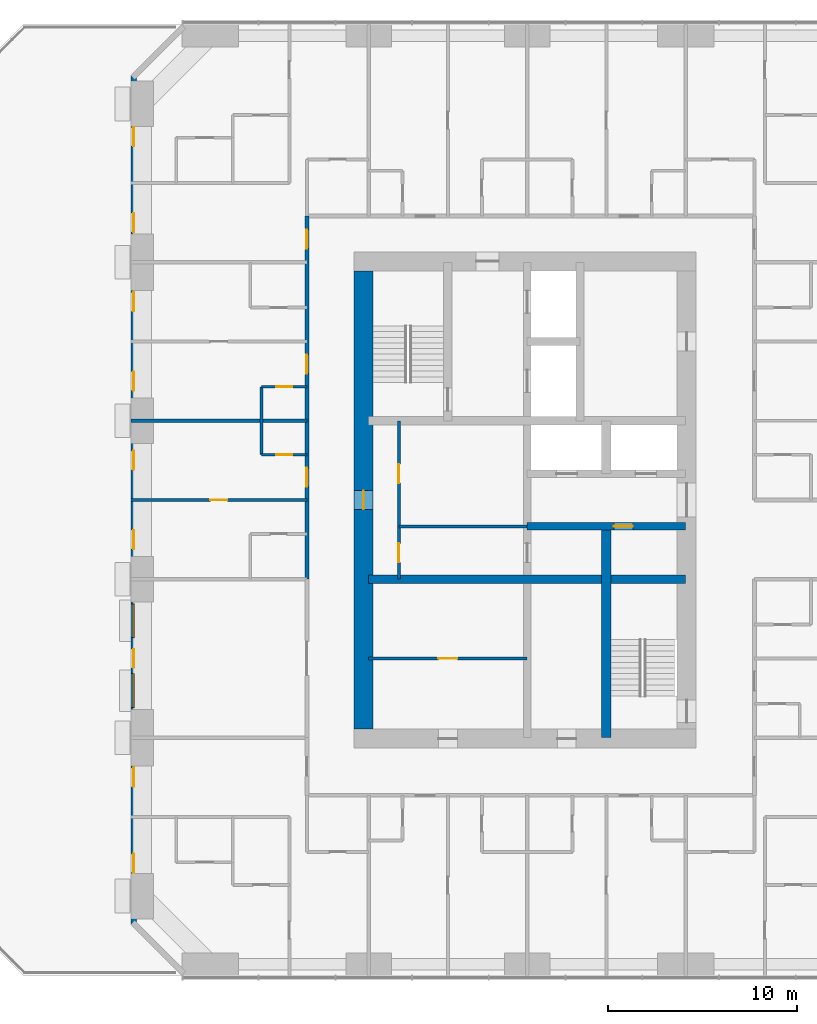
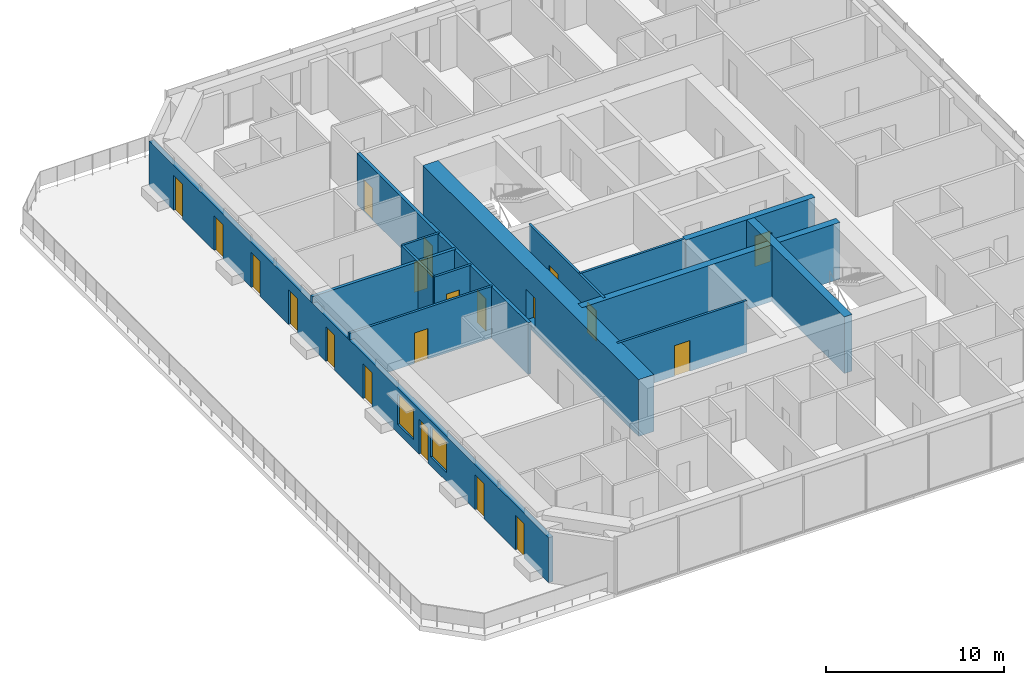
# One storey, part 8 of 13: 20 doors, 14 walls, 2 windows, 22 openings.
"""IFC4 building model written with IfcOpenShell, lengths in metres."""

from ifc_helpers import new_model, si_unit, direction, frame, frame_2d, origin, place, context, subcontext, project, spatial, rectangle, extrude, material, layer, layer_set, type_object, element, fill, save


model = new_model("IFC4")

# Units and contexts
model_context = context("Model", 3, precision=1e-05, world=origin(), true_north=direction((0.0, 1.0)))
body_context = subcontext(model_context, "Body", "Model", "MODEL_VIEW")
ifc_project = project(units=[si_unit("LENGTHUNIT", "METRE"), si_unit("AREAUNIT", "SQUARE_METRE"), si_unit("VOLUMEUNIT", "CUBIC_METRE"), si_unit("PLANEANGLEUNIT", "RADIAN"), si_unit("MASSUNIT", "GRAM", prefix="KILO")], contexts=[model_context])

# Site, building, storey
site_placement = place(None, origin())
site = spatial("IfcSite", under=ifc_project, at=site_placement, CompositionType="ELEMENT")
building_placement = place(site_placement, origin())
building = spatial("IfcBuilding", under=site, at=building_placement, Name="Dunama Terrace Hotel", CompositionType="ELEMENT")
storey_placement = place(building_placement, frame((0.0, 0.0, 225.60009765625)))
storey = spatial("IfcBuildingStorey", under=building, at=storey_placement, Name="L58", CompositionType="ELEMENT", Elevation=225.60009765625)

# Wall
ifc_material_1 = material(Name="Gypsum board partition", Category="masonry")
ifc_layer_1 = layer(ifc_material_1, 0.14990234375)
ifc_layer_set_1 = layer_set([ifc_layer_1], Name="Bathroom partition 150")
wall_type_1 = type_object("IfcWallType", Name="Bathroom partition 150", PredefinedType="PARTITIONING", material=ifc_layer_set_1)
wall_1_placement = place(storey_placement, frame((19.52490234375, 31.800048828125, 0.0), z_axis=(0.0, 0.0, 1.0), x_axis=(0.0, 1.0, 0.0)))
element("IfcWall", 1, at=wall_1_placement, inside=storey, type_object=wall_type_1, Name="Bathroom partition 150 L58", PredefinedType="PARTITIONING", context=body_context, shape_type="SweptSolid", body=[
    extrude(rectangle(XDim=3.599853515625, YDim=0.14990234375, at=frame_2d((1.7998046875, 0.0))), origin(), (0.0, 0.0, 1.0), 3.5498046875),
])

# Wall, opening, door
wall_2_placement = place(storey_placement, frame((19.52490234375, 31.800048828125, 0.0), z_axis=(0.0, 0.0, 1.0), x_axis=(1.0, 0.0, 0.0)))
wall_2 = element("IfcWall", 2, at=wall_2_placement, inside=storey, type_object=wall_type_1, Name="Bathroom partition 150 L58", PredefinedType="PARTITIONING", context=body_context, shape_type="SweptSolid", body=[
    extrude(rectangle(XDim=2.400146484375, YDim=0.14990234375, at=frame_2d((1.2001953125, 0.0))), origin(), (0.0, 0.0, 1.0), 3.5498046875),
])
opening_1_placement = place(wall_2_placement, frame((0.77490234375, 0.0, 0.0)))
opening_1 = element("IfcOpeningElement", 3, at=opening_1_placement, cuts=wall_2, Name="Opening L58-043", PredefinedType="OPENING", context=body_context, shape_type="SweptSolid", body=[
    extrude(rectangle(XDim=0.85009765625, YDim=2.10009765625, at=frame_2d((0.425048828125, 1.050048828125))), frame((0.0, 0.0849609375, 0.0), z_axis=(0.0, -1.0, 0.0), x_axis=(1.0, 0.0, 0.0)), (0.0, 0.0, 1.0), 0.169921875),
])
ifc_material_2 = material(Name="Timber door with steel frame", Category="steel")
door_type_1 = type_object("IfcDoorType", Name="Bathroom door 850", OperationType="SINGLE_SWING_LEFT", PredefinedType="DOOR", material=ifc_material_2)
door_1_placement = place(opening_1_placement, origin())
door_1 = element("IfcDoor", 4, at=door_1_placement, inside=storey, type_object=door_type_1, Name="Door to powder room L58-043, type D2", OperationType="SINGLE_SWING_RIGHT", OverallHeight=2.10009765625, OverallWidth=0.85009765625, PredefinedType="DOOR", context=body_context, shape_type="SweptSolid", body=[
    extrude(rectangle(XDim=0.85009765625, YDim=2.10009765625, at=frame_2d((0.425048828125, 1.050048828125))), frame((0.0, 0.02490234375, 0.0), z_axis=(0.0, -1.0, 0.0), x_axis=(1.0, 0.0, 0.0)), (0.0, 0.0, 1.0), 0.050048828125),
])
fill(opening_1, door_1)

wall_3_placement = place(storey_placement, frame((19.52490234375, 35.39990234375, 0.0), z_axis=(0.0, 0.0, 1.0), x_axis=(1.0, 0.0, 0.0)))
wall_3 = element("IfcWall", 5, at=wall_3_placement, inside=storey, type_object=wall_type_1, Name="Bathroom partition 150 L58", PredefinedType="PARTITIONING", context=body_context, shape_type="SweptSolid", body=[
    extrude(rectangle(XDim=2.400146484375, YDim=0.14990234375, at=frame_2d((1.2001953125, 0.0))), origin(), (0.0, 0.0, 1.0), 3.5498046875),
])
opening_2_placement = place(wall_3_placement, frame((0.77490234375, 0.0, 0.0)))
opening_2 = element("IfcOpeningElement", 6, at=opening_2_placement, cuts=wall_3, Name="Opening L58-047", PredefinedType="OPENING", context=body_context, shape_type="SweptSolid", body=[
    extrude(rectangle(XDim=0.85009765625, YDim=2.10009765625, at=frame_2d((0.425048828125, 1.050048828125))), frame((0.0, 0.0849609375, 0.0), z_axis=(0.0, -1.0, 0.0), x_axis=(1.0, 0.0, 0.0)), (0.0, 0.0, 1.0), 0.169921875),
])
door_2_placement = place(opening_2_placement, frame((0.85009765625, 0.0, 0.0), z_axis=(0.0, 0.0, 1.0), x_axis=(-1.0, 0.0, 0.0)))
door_2 = element("IfcDoor", 7, at=door_2_placement, inside=storey, type_object=door_type_1, Name="Door to powder room L58-047, type D2", OperationType="SINGLE_SWING_LEFT", OverallHeight=2.10009765625, OverallWidth=0.85009765625, PredefinedType="DOOR", context=body_context, shape_type="SweptSolid", body=[
    extrude(rectangle(XDim=0.85009765625, YDim=2.10009765625, at=frame_2d((0.425048828125, 1.050048828125))), frame((0.0, 0.025146484375, 0.0), z_axis=(0.0, -1.0, 0.0), x_axis=(1.0, 0.0, 0.0)), (0.0, 0.0, 1.0), 0.050048828125),
])
fill(opening_2, door_2)

ifc_material_3 = material(Name="Concrete C50/60", Category="concrete")
ifc_layer_2 = layer(ifc_material_3, 0.39990234375)
ifc_layer_set_2 = layer_set([ifc_layer_2], Name="Core inner wall 400")
wall_type_2 = type_object("IfcWallType", Name="Core inner wall 400", PredefinedType="SHEAR", material=ifc_layer_set_2)
wall_4_placement = place(storey_placement, frame((33.60009765625, 28.0, -0.35009765625), z_axis=(0.0, 0.0, 1.0), x_axis=(1.0, 0.0, 0.0)))
wall_4 = element("IfcWall", 8, at=wall_4_placement, inside=storey, type_object=wall_type_2, Name="Core inner wall 400 L58", PredefinedType="SHEAR", context=body_context, shape_type="SweptSolid", body=[
    extrude(rectangle(XDim=8.39990234375, YDim=0.39990234375, at=frame_2d((4.199951171875, 0.0))), origin(), (0.0, 0.0, 1.0), 3.89990234375),
])
opening_3_placement = place(wall_4_placement, frame((4.60009765625, 0.0, 0.35009765625)))
opening_3 = element("IfcOpeningElement", 9, at=opening_3_placement, cuts=wall_4, Name="Opening L58-074", PredefinedType="OPENING", context=body_context, shape_type="SweptSolid", body=[
    extrude(rectangle(XDim=1.0, YDim=2.10009765625, at=frame_2d((0.5, 1.050048828125))), frame((0.0, 0.2099609375, 0.0), z_axis=(0.0, -1.0, 0.0), x_axis=(1.0, 0.0, 0.0)), (0.0, 0.0, 1.0), 0.419921875),
])
ifc_material_4 = material(Name="Timber door with steel frame", Category="steel")
door_type_2 = type_object("IfcDoorType", Name="Service door 1000", OperationType="SINGLE_SWING_LEFT", PredefinedType="DOOR", material=ifc_material_4)
door_3_placement = place(opening_3_placement, frame((1.0, 0.0, 0.0), z_axis=(0.0, 0.0, 1.0), x_axis=(-1.0, 0.0, 0.0)))
door_3 = element("IfcDoor", 10, at=door_3_placement, inside=storey, type_object=door_type_2, Name="Door to guest pantry L58-074, type D7", OperationType="SINGLE_SWING_RIGHT", OverallHeight=2.10009765625, OverallWidth=1.0, PredefinedType="DOOR", context=body_context, shape_type="SweptSolid", body=[
    extrude(rectangle(XDim=1.0, YDim=2.10009765625, at=frame_2d((0.5, 1.050048828125))), frame((0.0, 0.025146484375, 0.0), z_axis=(0.0, -1.0, 0.0), x_axis=(1.0, 0.0, 0.0)), (0.0, 0.0, 1.0), 0.050048828125),
])
fill(opening_3, door_3)

# Walls
ifc_material_5 = material(Name="Concrete C50/60", Category="concrete")
ifc_layer_3 = layer(ifc_material_5, 0.449951171875)
ifc_layer_set_3 = layer_set([ifc_layer_3], Name="Core inner wall 450")
wall_type_3 = type_object("IfcWallType", Name="Core inner wall 450", PredefinedType="SHEAR", material=ifc_layer_set_3)
wall_5_placement = place(storey_placement, frame((25.199951171875, 25.199951171875, -0.35009765625), z_axis=(0.0, 0.0, 1.0), x_axis=(1.0, 0.0, 0.0)))
element("IfcWall", 11, at=wall_5_placement, inside=storey, type_object=wall_type_3, Name="Core inner wall 450 L58", PredefinedType="SHEAR", context=body_context, shape_type="SweptSolid", body=[
    extrude(rectangle(XDim=16.800048828125, YDim=0.449951171875, at=frame_2d((8.39990234375, 0.0))), origin(), (0.0, 0.0, 1.0), 3.89990234375),
])
ifc_material_6 = material(Name="Concrete C50/60", Category="concrete")
ifc_layer_4 = layer(ifc_material_6, 0.5)
ifc_layer_set_4 = layer_set([ifc_layer_4], Name="Core inner wall 500")
wall_type_4 = type_object("IfcWallType", Name="Core inner wall 500", PredefinedType="SHEAR", material=ifc_layer_set_4)
wall_6_placement = place(storey_placement, frame((37.800048828125, 16.800048828125, -0.35009765625), z_axis=(0.0, 0.0, 1.0), x_axis=(0.0, 1.0, 0.0)))
element("IfcWall", 12, at=wall_6_placement, inside=storey, type_object=wall_type_4, Name="Core inner wall 500 L58", PredefinedType="SHEAR", context=body_context, shape_type="SweptSolid", body=[
    extrude(rectangle(XDim=11.199951171875, YDim=0.5, at=frame_2d((5.60009765625, 0.0))), origin(), (0.0, 0.0, 1.0), 3.89990234375),
])

# Wall, opening, door
ifc_material_7 = material(Name="Concrete C60/75", Category="concrete")
ifc_layer_5 = layer(ifc_material_7, 1.0)
ifc_layer_set_5 = layer_set([ifc_layer_5], Name="Core wall 1000")
wall_type_5 = type_object("IfcWallType", Name="Core wall 1000", PredefinedType="SHEAR", material=ifc_layer_set_5)
wall_7_placement = place(storey_placement, frame((24.925048828125, 41.550048828125, -0.35009765625), z_axis=(0.0, 0.0, 1.0), x_axis=(0.0, -1.0, 0.0)))
wall_7 = element("IfcWall", 13, at=wall_7_placement, inside=storey, type_object=wall_type_5, Name="Core wall west L58", PredefinedType="SHEAR", context=body_context, shape_type="SweptSolid", body=[
    extrude(rectangle(XDim=24.300048828125, YDim=1.0, at=frame_2d((12.14990234375, 0.0))), origin(), (0.0, 0.0, 1.0), 3.89990234375),
])
opening_4_placement = place(wall_7_placement, frame((11.64990234375, 0.0, 0.35009765625)))
opening_4 = element("IfcOpeningElement", 14, at=opening_4_placement, cuts=wall_7, Name="Opening L58-070", PredefinedType="OPENING", context=body_context, shape_type="SweptSolid", body=[
    extrude(rectangle(XDim=1.0, YDim=2.10009765625, at=frame_2d((0.5, 1.050048828125))), frame((0.0, 0.510009765625, 0.0), z_axis=(0.0, -1.0, 0.0), x_axis=(1.0, 0.0, 0.0)), (0.0, 0.0, 1.0), 1.02001953125),
])
door_4_placement = place(opening_4_placement, origin())
door_4 = element("IfcDoor", 15, at=door_4_placement, inside=storey, type_object=door_type_2, Name="Door to staff passage L58-070, type D7", OperationType="SINGLE_SWING_LEFT", OverallHeight=2.10009765625, OverallWidth=1.0, PredefinedType="DOOR", context=body_context, shape_type="SweptSolid", body=[
    extrude(rectangle(XDim=1.0, YDim=2.10009765625, at=frame_2d((0.5, 1.050048828125))), frame((0.0, 0.02490234375, 0.0), z_axis=(0.0, -1.0, 0.0), x_axis=(1.0, 0.0, 0.0)), (0.0, 0.0, 1.0), 0.050048828125),
])
fill(opening_4, door_4)

# Wall, openings, doors
ifc_material_8 = material(Name="Concrete blockwork", Category="masonry")
ifc_layer_6 = layer(ifc_material_8, 0.199951171875)
ifc_layer_set_6 = layer_set([ifc_layer_6], Name="Corridor partition 200")
wall_type_6 = type_object("IfcWallType", Name="Corridor partition 200", PredefinedType="PARTITIONING", material=ifc_layer_set_6)
wall_8_placement = place(storey_placement, frame((21.925048828125, 25.199951171875, 0.0), z_axis=(0.0, 0.0, 1.0), x_axis=(0.0, 1.0, 0.0)))
wall_8 = element("IfcWall", 16, at=wall_8_placement, inside=storey, type_object=wall_type_6, Name="Corridor partition 200 L58", PredefinedType="PARTITIONING", context=body_context, shape_type="SweptSolid", body=[
    extrude(rectangle(XDim=19.25, YDim=0.199951171875, at=frame_2d((9.625, 0.0))), origin(), (0.0, 0.0, 1.0), 3.5498046875),
])
opening_5_placement = place(wall_8_placement, frame((4.89990234375, 0.0, 0.0)))
opening_5 = element("IfcOpeningElement", 17, at=opening_5_placement, cuts=wall_8, Name="Opening L58-042", PredefinedType="OPENING", context=body_context, shape_type="SweptSolid", body=[
    extrude(rectangle(XDim=1.0, YDim=2.199951171875, at=frame_2d((0.5, 1.10009765625))), frame((0.0, 0.10986328125, 0.0), z_axis=(0.0, -1.0, 0.0), x_axis=(1.0, 0.0, 0.0)), (0.0, 0.0, 1.0), 0.219970703125),
])
opening_6_placement = place(wall_8_placement, frame((10.89990234375, 0.0, 0.0)))
opening_6 = element("IfcOpeningElement", 18, at=opening_6_placement, cuts=wall_8, Name="Opening L58-046", PredefinedType="OPENING", context=body_context, shape_type="SweptSolid", body=[
    extrude(rectangle(XDim=1.0, YDim=2.199951171875, at=frame_2d((0.5, 1.10009765625))), frame((0.0, 0.10986328125, 0.0), z_axis=(0.0, -1.0, 0.0), x_axis=(1.0, 0.0, 0.0)), (0.0, 0.0, 1.0), 0.219970703125),
])
opening_7_placement = place(wall_8_placement, frame((17.52490234375, 0.0, 0.0)))
opening_7 = element("IfcOpeningElement", 19, at=opening_7_placement, cuts=wall_8, Name="Opening L58-065", PredefinedType="OPENING", context=body_context, shape_type="SweptSolid", body=[
    extrude(rectangle(XDim=1.0, YDim=2.199951171875, at=frame_2d((0.5, 1.10009765625))), frame((0.0, 0.10986328125, 0.0), z_axis=(0.0, -1.0, 0.0), x_axis=(1.0, 0.0, 0.0)), (0.0, 0.0, 1.0), 0.219970703125),
])
ifc_material_9 = material(Name="Timber door with steel frame", Category="steel")
door_type_3 = type_object("IfcDoorType", Name="Guest room door 1000", OperationType="SINGLE_SWING_LEFT", PredefinedType="DOOR", material=ifc_material_9)
door_5_placement = place(opening_5_placement, origin())
door_5 = element("IfcDoor", 20, at=door_5_placement, inside=storey, type_object=door_type_3, Name="Door to one-bedroom suite living room L58-042, type D1", OperationType="SINGLE_SWING_RIGHT", OverallHeight=2.199951171875, OverallWidth=1.0, PredefinedType="DOOR", context=body_context, shape_type="SweptSolid", body=[
    extrude(rectangle(XDim=1.0, YDim=2.199951171875, at=frame_2d((0.5, 1.10009765625))), frame((0.0, 0.02490234375, 0.0), z_axis=(0.0, -1.0, 0.0), x_axis=(1.0, 0.0, 0.0)), (0.0, 0.0, 1.0), 0.050048828125),
])
fill(opening_5, door_5)
door_6_placement = place(opening_6_placement, origin())
door_6 = element("IfcDoor", 21, at=door_6_placement, inside=storey, type_object=door_type_3, Name="Door to one-bedroom suite living room L58-046, type D1", OperationType="SINGLE_SWING_RIGHT", OverallHeight=2.199951171875, OverallWidth=1.0, PredefinedType="DOOR", context=body_context, shape_type="SweptSolid", body=[
    extrude(rectangle(XDim=1.0, YDim=2.199951171875, at=frame_2d((0.5, 1.10009765625))), frame((0.0, 0.02490234375, 0.0), z_axis=(0.0, -1.0, 0.0), x_axis=(1.0, 0.0, 0.0)), (0.0, 0.0, 1.0), 0.050048828125),
])
fill(opening_6, door_6)
door_7_placement = place(opening_7_placement, origin())
door_7 = element("IfcDoor", 22, at=door_7_placement, inside=storey, type_object=door_type_3, Name="Door to grand corner suite living room L58-065, type D1", OperationType="SINGLE_SWING_LEFT", OverallHeight=2.199951171875, OverallWidth=1.0, PredefinedType="DOOR", context=body_context, shape_type="SweptSolid", body=[
    extrude(rectangle(XDim=1.0, YDim=2.199951171875, at=frame_2d((0.5, 1.10009765625))), frame((0.0, 0.02490234375, 0.0), z_axis=(0.0, -1.0, 0.0), x_axis=(1.0, 0.0, 0.0)), (0.0, 0.0, 1.0), 0.050048828125),
])
fill(opening_7, door_7)

# Wall
ifc_material_10 = material(Name="Concrete blockwork", Category="masonry")
ifc_layer_7 = layer(ifc_material_10, 0.199951171875)
ifc_layer_set_7 = layer_set([ifc_layer_7], Name="Party wall 200")
wall_type_7 = type_object("IfcWallType", Name="Party wall 200", PredefinedType="PARTITIONING", material=ifc_layer_set_7)
wall_9_placement = place(storey_placement, frame((12.60009765625, 33.60009765625, 0.0), z_axis=(0.0, 0.0, 1.0), x_axis=(1.0, 0.0, 0.0)))
element("IfcWall", 23, at=wall_9_placement, inside=storey, type_object=wall_type_7, Name="Party wall 200 L58", PredefinedType="PARTITIONING", context=body_context, shape_type="SweptSolid", body=[
    extrude(rectangle(XDim=9.324951171875, YDim=0.199951171875, at=frame_2d((4.66259765625, 0.0))), origin(), (0.0, 0.0, 1.0), 3.5498046875),
])

# Wall, openings, doors
ifc_material_11 = material(Name="Gypsum board partition", Category="masonry")
ifc_layer_8 = layer(ifc_material_11, 0.14990234375)
ifc_layer_set_8 = layer_set([ifc_layer_8], Name="Room partition 150")
wall_type_8 = type_object("IfcWallType", Name="Room partition 150", PredefinedType="PARTITIONING", material=ifc_layer_set_8)
wall_10_placement = place(storey_placement, frame((26.800048828125, 25.199951171875, 0.0), z_axis=(0.0, 0.0, 1.0), x_axis=(0.0, 1.0, 0.0)))
wall_10 = element("IfcWall", 24, at=wall_10_placement, inside=storey, type_object=wall_type_8, Name="Room partition 150 L58", PredefinedType="PARTITIONING", context=body_context, shape_type="SweptSolid", body=[
    extrude(rectangle(XDim=8.400146484375, YDim=0.14990234375, at=frame_2d((4.2001953125, 0.0))), origin(), (0.0, 0.0, 1.0), 3.5498046875),
])
opening_8_placement = place(wall_10_placement, frame((0.89990234375, 0.0, 0.0)))
opening_8 = element("IfcOpeningElement", 25, at=opening_8_placement, cuts=wall_10, Name="Opening L58-071", PredefinedType="OPENING", context=body_context, shape_type="SweptSolid", body=[
    extrude(rectangle(XDim=1.0, YDim=2.10009765625, at=frame_2d((0.5, 1.050048828125))), frame((0.0, 0.0849609375, 0.0), z_axis=(0.0, -1.0, 0.0), x_axis=(1.0, 0.0, 0.0)), (0.0, 0.0, 1.0), 0.169921875),
])
opening_9_placement = place(wall_10_placement, frame((5.10009765625, 0.0, 0.0)))
opening_9 = element("IfcOpeningElement", 26, at=opening_9_placement, cuts=wall_10, Name="Opening L58-072", PredefinedType="OPENING", context=body_context, shape_type="SweptSolid", body=[
    extrude(rectangle(XDim=1.0, YDim=2.10009765625, at=frame_2d((0.5, 1.050048828125))), frame((0.0, 0.0849609375, 0.0), z_axis=(0.0, -1.0, 0.0), x_axis=(1.0, 0.0, 0.0)), (0.0, 0.0, 1.0), 0.169921875),
])
door_8_placement = place(opening_8_placement, frame((1.0, 0.0, 0.0), z_axis=(0.0, 0.0, 1.0), x_axis=(-1.0, 0.0, 0.0)))
door_8 = element("IfcDoor", 27, at=door_8_placement, inside=storey, type_object=door_type_2, Name="Door to riser room L58-071, type D7", OperationType="SINGLE_SWING_RIGHT", OverallHeight=2.10009765625, OverallWidth=1.0, PredefinedType="DOOR", context=body_context, shape_type="SweptSolid", body=[
    extrude(rectangle(XDim=1.0, YDim=2.10009765625, at=frame_2d((0.5, 1.050048828125))), frame((0.0, 0.025146484375, 0.0), z_axis=(0.0, -1.0, 0.0), x_axis=(1.0, 0.0, 0.0)), (0.0, 0.0, 1.0), 0.050048828125),
])
fill(opening_8, door_8)
door_9_placement = place(opening_9_placement, frame((1.0, 0.0, 0.0), z_axis=(0.0, 0.0, 1.0), x_axis=(-1.0, 0.0, 0.0)))
door_9 = element("IfcDoor", 28, at=door_9_placement, inside=storey, type_object=door_type_2, Name="Door to housekeeping store L58-072, type D7", OperationType="SINGLE_SWING_RIGHT", OverallHeight=2.10009765625, OverallWidth=1.0, PredefinedType="DOOR", context=body_context, shape_type="SweptSolid", body=[
    extrude(rectangle(XDim=1.0, YDim=2.10009765625, at=frame_2d((0.5, 1.050048828125))), frame((0.0, 0.025146484375, 0.0), z_axis=(0.0, -1.0, 0.0), x_axis=(1.0, 0.0, 0.0)), (0.0, 0.0, 1.0), 0.050048828125),
])
fill(opening_9, door_9)

# Wall, opening, door
wall_11_placement = place(storey_placement, frame((25.199951171875, 21.0, 0.0), z_axis=(0.0, 0.0, 1.0), x_axis=(1.0, 0.0, 0.0)))
wall_11 = element("IfcWall", 29, at=wall_11_placement, inside=storey, type_object=wall_type_8, Name="Room partition 150 L58", PredefinedType="PARTITIONING", context=body_context, shape_type="SweptSolid", body=[
    extrude(rectangle(XDim=8.400146484375, YDim=0.14990234375, at=frame_2d((4.2001953125, 0.0))), origin(), (0.0, 0.0, 1.0), 3.5498046875),
])
opening_10_placement = place(wall_11_placement, frame((3.699951171875, 0.0, 0.0)))
opening_10 = element("IfcOpeningElement", 30, at=opening_10_placement, cuts=wall_11, Name="Opening L58-079", PredefinedType="OPENING", context=body_context, shape_type="SweptSolid", body=[
    extrude(rectangle(XDim=1.0, YDim=2.10009765625, at=frame_2d((0.5, 1.050048828125))), frame((0.0, 0.0849609375, 0.0), z_axis=(0.0, -1.0, 0.0), x_axis=(1.0, 0.0, 0.0)), (0.0, 0.0, 1.0), 0.169921875),
])
door_10_placement = place(opening_10_placement, origin())
door_10 = element("IfcDoor", 31, at=door_10_placement, inside=storey, type_object=door_type_2, Name="Door to stair pressurisation fan room L58-079, type D7", OperationType="SINGLE_SWING_LEFT", OverallHeight=2.10009765625, OverallWidth=1.0, PredefinedType="DOOR", context=body_context, shape_type="SweptSolid", body=[
    extrude(rectangle(XDim=1.0, YDim=2.10009765625, at=frame_2d((0.5, 1.050048828125))), frame((0.0, 0.02490234375, 0.0), z_axis=(0.0, -1.0, 0.0), x_axis=(1.0, 0.0, 0.0)), (0.0, 0.0, 1.0), 0.050048828125),
])
fill(opening_10, door_10)

# Wall
wall_12_placement = place(storey_placement, frame((26.800048828125, 28.0, 0.0), z_axis=(0.0, 0.0, 1.0), x_axis=(1.0, 0.0, 0.0)))
element("IfcWall", 32, at=wall_12_placement, inside=storey, type_object=wall_type_8, Name="Room partition 150 L58", PredefinedType="PARTITIONING", context=body_context, shape_type="SweptSolid", body=[
    extrude(rectangle(XDim=6.800048828125, YDim=0.14990234375, at=frame_2d((3.39990234375, 0.0))), origin(), (0.0, 0.0, 1.0), 3.5498046875),
])

# Wall, opening, door
wall_13_placement = place(storey_placement, frame((12.60009765625, 29.39990234375, 0.0), z_axis=(0.0, 0.0, 1.0), x_axis=(1.0, 0.0, 0.0)))
wall_13 = element("IfcWall", 33, at=wall_13_placement, inside=storey, type_object=wall_type_8, Name="Room partition 150 L58", PredefinedType="PARTITIONING", context=body_context, shape_type="SweptSolid", body=[
    extrude(rectangle(XDim=9.324951171875, YDim=0.14990234375, at=frame_2d((4.66259765625, 0.0))), origin(), (0.0, 0.0, 1.0), 3.5498046875),
])
opening_11_placement = place(wall_13_placement, frame((4.2119140625, 0.0, 0.0)))
opening_11 = element("IfcOpeningElement", 34, at=opening_11_placement, cuts=wall_13, Name="Opening L58-044", PredefinedType="OPENING", context=body_context, shape_type="SweptSolid", body=[
    extrude(rectangle(XDim=0.89990234375, YDim=2.10009765625, at=frame_2d((0.449951171875, 1.050048828125))), frame((0.0, 0.0849609375, 0.0), z_axis=(0.0, -1.0, 0.0), x_axis=(1.0, 0.0, 0.0)), (0.0, 0.0, 1.0), 0.169921875),
])
ifc_material_12 = material(Name="Timber door with steel frame", Category="steel")
door_type_4 = type_object("IfcDoorType", Name="Suite internal door 900", OperationType="SINGLE_SWING_LEFT", PredefinedType="DOOR", material=ifc_material_12)
door_11_placement = place(opening_11_placement, frame((0.89990234375, 0.0, 0.0), z_axis=(0.0, 0.0, 1.0), x_axis=(-1.0, 0.0, 0.0)))
door_11 = element("IfcDoor", 35, at=door_11_placement, inside=storey, type_object=door_type_4, Name="Door to one-bedroom suite bedroom L58-044, type D16", OperationType="SINGLE_SWING_LEFT", OverallHeight=2.10009765625, OverallWidth=0.89990234375, PredefinedType="DOOR", context=body_context, shape_type="SweptSolid", body=[
    extrude(rectangle(XDim=0.89990234375, YDim=2.10009765625, at=frame_2d((0.449951171875, 1.050048828125))), frame((0.0, 0.025146484375, 0.0), z_axis=(0.0, -1.0, 0.0), x_axis=(1.0, 0.0, 0.0)), (0.0, 0.0, 1.0), 0.050048828125),
])
fill(opening_11, door_11)

# Wall, openings, doors, windows
ifc_material_13 = material(Name="Granite-faced concrete blockwork", Category="masonry")
ifc_layer_9 = layer(ifc_material_13, 0.300048828125)
ifc_layer_set_9 = layer_set([ifc_layer_9], Name="Terrace wall 300")
wall_type_9 = type_object("IfcWallType", Name="Terrace wall 300", PredefinedType="SOLIDWALL", material=ifc_layer_set_9)
wall_14_placement = place(storey_placement, frame((12.75, 51.89990234375, 0.0), z_axis=(0.0, 0.0, 1.0), x_axis=(0.0, -1.0, 0.0)))
wall_14 = element("IfcWall", 36, at=wall_14_placement, inside=storey, type_object=wall_type_9, Name="Terrace wall 300 L58", PredefinedType="SOLIDWALL", context=body_context, shape_type="SweptSolid", body=[
    extrude(rectangle(XDim=45.0, YDim=0.300048828125, at=frame_2d((22.5, 0.0))), origin(), (0.0, 0.0, 1.0), 3.099853515625),
])
opening_12_placement = place(wall_14_placement, frame((41.25, 0.0, 0.0)))
opening_12 = element("IfcOpeningElement", 37, at=opening_12_placement, cuts=wall_14, Name="Opening L58-001", PredefinedType="OPENING", context=body_context, shape_type="SweptSolid", body=[
    extrude(rectangle(XDim=1.0, YDim=2.39990234375, at=frame_2d((0.5, 1.199951171875))), frame((0.0, 0.159912109375, 0.0), z_axis=(0.0, -1.0, 0.0), x_axis=(1.0, 0.0, 0.0)), (0.0, 0.0, 1.0), 0.320068359375),
])
opening_13_placement = place(wall_14_placement, frame((36.699951171875, 0.0, 0.0)))
opening_13 = element("IfcOpeningElement", 38, at=opening_13_placement, cuts=wall_14, Name="Opening L58-002", PredefinedType="OPENING", context=body_context, shape_type="SweptSolid", body=[
    extrude(rectangle(XDim=1.0, YDim=2.39990234375, at=frame_2d((0.5, 1.199951171875))), frame((0.0, 0.159912109375, 0.0), z_axis=(0.0, -1.0, 0.0), x_axis=(1.0, 0.0, 0.0)), (0.0, 0.0, 1.0), 0.320068359375),
])
opening_14_placement = place(wall_14_placement, frame((30.39990234375, 0.0, 0.0)))
opening_14 = element("IfcOpeningElement", 39, at=opening_14_placement, cuts=wall_14, Name="Opening L58-003", PredefinedType="OPENING", context=body_context, shape_type="SweptSolid", body=[
    extrude(rectangle(XDim=1.0, YDim=2.39990234375, at=frame_2d((0.5, 1.199951171875))), frame((0.0, 0.159912109375, 0.0), z_axis=(0.0, -1.0, 0.0), x_axis=(1.0, 0.0, 0.0)), (0.0, 0.0, 1.0), 0.320068359375),
])
opening_15_placement = place(wall_14_placement, frame((31.699951171875, 0.0, 0.60009765625)))
opening_15 = element("IfcOpeningElement", 40, at=opening_15_placement, cuts=wall_14, Name="Opening W2", PredefinedType="OPENING", context=body_context, shape_type="SweptSolid", body=[
    extrude(rectangle(XDim=1.800048828125, YDim=2.10009765625, at=frame_2d((0.89990234375, 1.050048828125))), frame((0.0, 0.159912109375, 0.0), z_axis=(0.0, -1.0, 0.0), x_axis=(1.0, 0.0, 0.0)), (0.0, 0.0, 1.0), 0.320068359375),
])
opening_16_placement = place(wall_14_placement, frame((28.0, 0.0, 0.60009765625)))
opening_16 = element("IfcOpeningElement", 41, at=opening_16_placement, cuts=wall_14, Name="Opening W2", PredefinedType="OPENING", context=body_context, shape_type="SweptSolid", body=[
    extrude(rectangle(XDim=1.800048828125, YDim=2.10009765625, at=frame_2d((0.89990234375, 1.050048828125))), frame((0.0, 0.159912109375, 0.0), z_axis=(0.0, -1.0, 0.0), x_axis=(1.0, 0.0, 0.0)), (0.0, 0.0, 1.0), 0.320068359375),
])
opening_17_placement = place(wall_14_placement, frame((24.10009765625, 0.0, 0.0)))
opening_17 = element("IfcOpeningElement", 42, at=opening_17_placement, cuts=wall_14, Name="Opening L58-004", PredefinedType="OPENING", context=body_context, shape_type="SweptSolid", body=[
    extrude(rectangle(XDim=1.0, YDim=2.39990234375, at=frame_2d((0.5, 1.199951171875))), frame((0.0, 0.159912109375, 0.0), z_axis=(0.0, -1.0, 0.0), x_axis=(1.0, 0.0, 0.0)), (0.0, 0.0, 1.0), 0.320068359375),
])
opening_18_placement = place(wall_14_placement, frame((19.89990234375, 0.0, 0.0)))
opening_18 = element("IfcOpeningElement", 43, at=opening_18_placement, cuts=wall_14, Name="Opening L58-005", PredefinedType="OPENING", context=body_context, shape_type="SweptSolid", body=[
    extrude(rectangle(XDim=1.0, YDim=2.39990234375, at=frame_2d((0.5, 1.199951171875))), frame((0.0, 0.159912109375, 0.0), z_axis=(0.0, -1.0, 0.0), x_axis=(1.0, 0.0, 0.0)), (0.0, 0.0, 1.0), 0.320068359375),
])
opening_19_placement = place(wall_14_placement, frame((15.699951171875, 0.0, 0.0)))
opening_19 = element("IfcOpeningElement", 44, at=opening_19_placement, cuts=wall_14, Name="Opening L58-006", PredefinedType="OPENING", context=body_context, shape_type="SweptSolid", body=[
    extrude(rectangle(XDim=1.0, YDim=2.39990234375, at=frame_2d((0.5, 1.199951171875))), frame((0.0, 0.159912109375, 0.0), z_axis=(0.0, -1.0, 0.0), x_axis=(1.0, 0.0, 0.0)), (0.0, 0.0, 1.0), 0.320068359375),
])
opening_20_placement = place(wall_14_placement, frame((11.5, 0.0, 0.0)))
opening_20 = element("IfcOpeningElement", 45, at=opening_20_placement, cuts=wall_14, Name="Opening L58-007", PredefinedType="OPENING", context=body_context, shape_type="SweptSolid", body=[
    extrude(rectangle(XDim=1.0, YDim=2.39990234375, at=frame_2d((0.5, 1.199951171875))), frame((0.0, 0.159912109375, 0.0), z_axis=(0.0, -1.0, 0.0), x_axis=(1.0, 0.0, 0.0)), (0.0, 0.0, 1.0), 0.320068359375),
])
opening_21_placement = place(wall_14_placement, frame((7.300048828125, 0.0, 0.0)))
opening_21 = element("IfcOpeningElement", 46, at=opening_21_placement, cuts=wall_14, Name="Opening L58-008", PredefinedType="OPENING", context=body_context, shape_type="SweptSolid", body=[
    extrude(rectangle(XDim=1.0, YDim=2.39990234375, at=frame_2d((0.5, 1.199951171875))), frame((0.0, 0.159912109375, 0.0), z_axis=(0.0, -1.0, 0.0), x_axis=(1.0, 0.0, 0.0)), (0.0, 0.0, 1.0), 0.320068359375),
])
opening_22_placement = place(wall_14_placement, frame((2.75, 0.0, 0.0)))
opening_22 = element("IfcOpeningElement", 47, at=opening_22_placement, cuts=wall_14, Name="Opening L58-009", PredefinedType="OPENING", context=body_context, shape_type="SweptSolid", body=[
    extrude(rectangle(XDim=1.0, YDim=2.39990234375, at=frame_2d((0.5, 1.199951171875))), frame((0.0, 0.159912109375, 0.0), z_axis=(0.0, -1.0, 0.0), x_axis=(1.0, 0.0, 0.0)), (0.0, 0.0, 1.0), 0.320068359375),
])
ifc_material_14 = material(Name="Aluminium-framed glazed door", Category="aluminium")
door_type_5 = type_object("IfcDoorType", Name="Terrace door 1000", OperationType="SINGLE_SWING_LEFT", PredefinedType="DOOR", material=ifc_material_14)
door_12_placement = place(opening_12_placement, origin())
door_12 = element("IfcDoor", 48, at=door_12_placement, inside=storey, type_object=door_type_5, Name="Terrace door Grand corner suite bedroom L58-001, type D12", OperationType="SINGLE_SWING_RIGHT", OverallHeight=2.39990234375, OverallWidth=1.0, PredefinedType="DOOR", context=body_context, shape_type="SweptSolid", body=[
    extrude(rectangle(XDim=1.0, YDim=2.39990234375, at=frame_2d((0.5, 1.199951171875))), frame((0.0, 0.02490234375, 0.0), z_axis=(0.0, -1.0, 0.0), x_axis=(1.0, 0.0, 0.0)), (0.0, 0.0, 1.0), 0.050048828125),
])
fill(opening_12, door_12)
door_13_placement = place(opening_13_placement, origin())
door_13 = element("IfcDoor", 49, at=door_13_placement, inside=storey, type_object=door_type_5, Name="Terrace door Grand corner suite living room L58-002, type D12", OperationType="SINGLE_SWING_LEFT", OverallHeight=2.39990234375, OverallWidth=1.0, PredefinedType="DOOR", context=body_context, shape_type="SweptSolid", body=[
    extrude(rectangle(XDim=1.0, YDim=2.39990234375, at=frame_2d((0.5, 1.199951171875))), frame((0.0, 0.02490234375, 0.0), z_axis=(0.0, -1.0, 0.0), x_axis=(1.0, 0.0, 0.0)), (0.0, 0.0, 1.0), 0.050048828125),
])
fill(opening_13, door_13)
door_14_placement = place(opening_14_placement, origin())
door_14 = element("IfcDoor", 50, at=door_14_placement, inside=storey, type_object=door_type_5, Name="Terrace door Garden lounge L58-003, type D12", OperationType="SINGLE_SWING_RIGHT", OverallHeight=2.39990234375, OverallWidth=1.0, PredefinedType="DOOR", context=body_context, shape_type="SweptSolid", body=[
    extrude(rectangle(XDim=1.0, YDim=2.39990234375, at=frame_2d((0.5, 1.199951171875))), frame((0.0, 0.02490234375, 0.0), z_axis=(0.0, -1.0, 0.0), x_axis=(1.0, 0.0, 0.0)), (0.0, 0.0, 1.0), 0.050048828125),
])
fill(opening_14, door_14)
door_15_placement = place(opening_17_placement, origin())
door_15 = element("IfcDoor", 51, at=door_15_placement, inside=storey, type_object=door_type_5, Name="Terrace door One-bedroom suite bedroom L58-004, type D12", OperationType="SINGLE_SWING_RIGHT", OverallHeight=2.39990234375, OverallWidth=1.0, PredefinedType="DOOR", context=body_context, shape_type="SweptSolid", body=[
    extrude(rectangle(XDim=1.0, YDim=2.39990234375, at=frame_2d((0.5, 1.199951171875))), frame((0.0, 0.02490234375, 0.0), z_axis=(0.0, -1.0, 0.0), x_axis=(1.0, 0.0, 0.0)), (0.0, 0.0, 1.0), 0.050048828125),
])
fill(opening_17, door_15)
door_16_placement = place(opening_18_placement, origin())
door_16 = element("IfcDoor", 52, at=door_16_placement, inside=storey, type_object=door_type_5, Name="Terrace door One-bedroom suite living room L58-005, type D12", OperationType="SINGLE_SWING_LEFT", OverallHeight=2.39990234375, OverallWidth=1.0, PredefinedType="DOOR", context=body_context, shape_type="SweptSolid", body=[
    extrude(rectangle(XDim=1.0, YDim=2.39990234375, at=frame_2d((0.5, 1.199951171875))), frame((0.0, 0.02490234375, 0.0), z_axis=(0.0, -1.0, 0.0), x_axis=(1.0, 0.0, 0.0)), (0.0, 0.0, 1.0), 0.050048828125),
])
fill(opening_18, door_16)
door_17_placement = place(opening_19_placement, origin())
door_17 = element("IfcDoor", 53, at=door_17_placement, inside=storey, type_object=door_type_5, Name="Terrace door One-bedroom suite living room L58-006, type D12", OperationType="SINGLE_SWING_RIGHT", OverallHeight=2.39990234375, OverallWidth=1.0, PredefinedType="DOOR", context=body_context, shape_type="SweptSolid", body=[
    extrude(rectangle(XDim=1.0, YDim=2.39990234375, at=frame_2d((0.5, 1.199951171875))), frame((0.0, 0.02490234375, 0.0), z_axis=(0.0, -1.0, 0.0), x_axis=(1.0, 0.0, 0.0)), (0.0, 0.0, 1.0), 0.050048828125),
])
fill(opening_19, door_17)
door_18_placement = place(opening_20_placement, origin())
door_18 = element("IfcDoor", 54, at=door_18_placement, inside=storey, type_object=door_type_5, Name="Terrace door One-bedroom suite bedroom L58-007, type D12", OperationType="SINGLE_SWING_LEFT", OverallHeight=2.39990234375, OverallWidth=1.0, PredefinedType="DOOR", context=body_context, shape_type="SweptSolid", body=[
    extrude(rectangle(XDim=1.0, YDim=2.39990234375, at=frame_2d((0.5, 1.199951171875))), frame((0.0, 0.02490234375, 0.0), z_axis=(0.0, -1.0, 0.0), x_axis=(1.0, 0.0, 0.0)), (0.0, 0.0, 1.0), 0.050048828125),
])
fill(opening_20, door_18)
door_19_placement = place(opening_21_placement, origin())
door_19 = element("IfcDoor", 55, at=door_19_placement, inside=storey, type_object=door_type_5, Name="Terrace door Grand corner suite living room L58-008, type D12", OperationType="SINGLE_SWING_RIGHT", OverallHeight=2.39990234375, OverallWidth=1.0, PredefinedType="DOOR", context=body_context, shape_type="SweptSolid", body=[
    extrude(rectangle(XDim=1.0, YDim=2.39990234375, at=frame_2d((0.5, 1.199951171875))), frame((0.0, 0.02490234375, 0.0), z_axis=(0.0, -1.0, 0.0), x_axis=(1.0, 0.0, 0.0)), (0.0, 0.0, 1.0), 0.050048828125),
])
fill(opening_21, door_19)
door_20_placement = place(opening_22_placement, origin())
door_20 = element("IfcDoor", 56, at=door_20_placement, inside=storey, type_object=door_type_5, Name="Terrace door Grand corner suite bedroom L58-009, type D12", OperationType="SINGLE_SWING_LEFT", OverallHeight=2.39990234375, OverallWidth=1.0, PredefinedType="DOOR", context=body_context, shape_type="SweptSolid", body=[
    extrude(rectangle(XDim=1.0, YDim=2.39990234375, at=frame_2d((0.5, 1.199951171875))), frame((0.0, 0.02490234375, 0.0), z_axis=(0.0, -1.0, 0.0), x_axis=(1.0, 0.0, 0.0)), (0.0, 0.0, 1.0), 0.050048828125),
])
fill(opening_22, door_20)
ifc_material_15 = material(Name="Aluminium-framed double glazed window", Category="aluminium")
window_type = type_object("IfcWindowType", Name="Terrace window 1800", PartitioningType="SINGLE_PANEL", PredefinedType="WINDOW", material=ifc_material_15)
window_1_placement = place(opening_15_placement, origin())
window_1 = element("IfcWindow", 57, at=window_1_placement, inside=storey, type_object=window_type, Name="Terrace window 1800 L58", OverallHeight=2.10009765625, OverallWidth=1.800048828125, PartitioningType="SINGLE_PANEL", PredefinedType="WINDOW", context=body_context, shape_type="SweptSolid", body=[
    extrude(rectangle(XDim=1.800048828125, YDim=2.10009765625, at=frame_2d((0.89990234375, 1.050048828125))), frame((0.0, 0.030029296875, 0.0), z_axis=(0.0, -1.0, 0.0), x_axis=(1.0, 0.0, 0.0)), (0.0, 0.0, 1.0), 0.06005859375),
])
fill(opening_15, window_1)
window_2_placement = place(opening_16_placement, origin())
window_2 = element("IfcWindow", 58, at=window_2_placement, inside=storey, type_object=window_type, Name="Terrace window 1800 L58", OverallHeight=2.10009765625, OverallWidth=1.800048828125, PartitioningType="SINGLE_PANEL", PredefinedType="WINDOW", context=body_context, shape_type="SweptSolid", body=[
    extrude(rectangle(XDim=1.800048828125, YDim=2.10009765625, at=frame_2d((0.89990234375, 1.050048828125))), frame((0.0, 0.030029296875, 0.0), z_axis=(0.0, -1.0, 0.0), x_axis=(1.0, 0.0, 0.0)), (0.0, 0.0, 1.0), 0.06005859375),
])
fill(opening_16, window_2)

save(model, "model.ifc")
